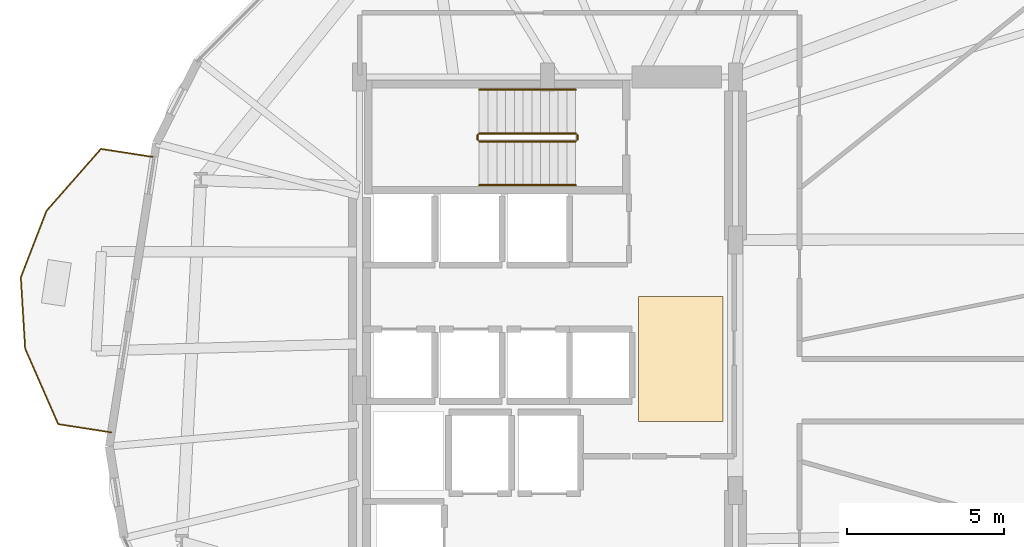
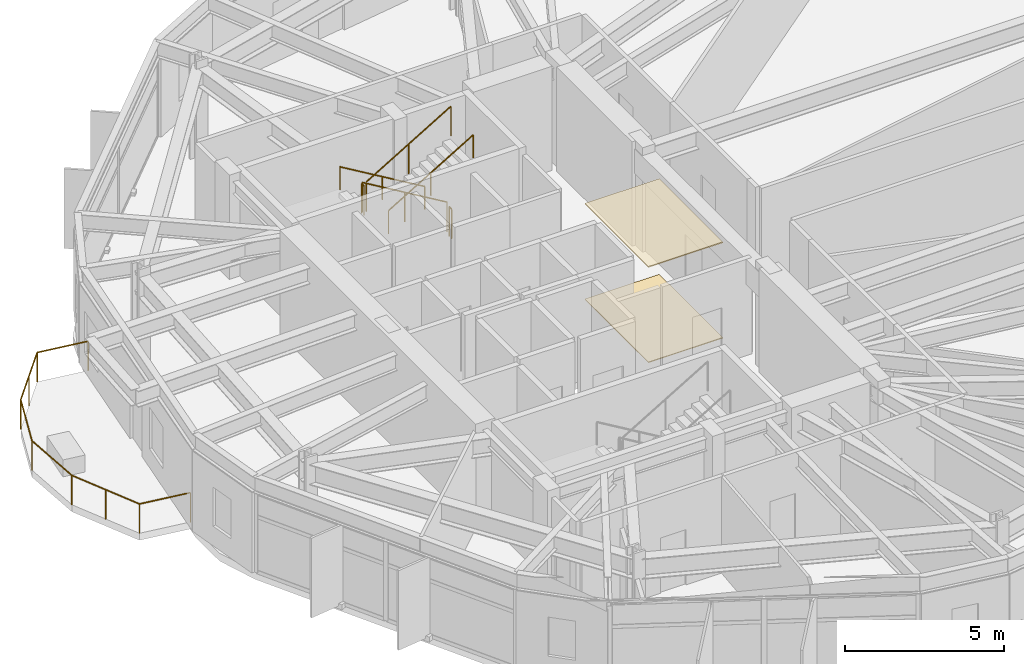
# One storey, part 22 of 23: 7 railings, 2 coverings.
"""IFC4 building model written with IfcOpenShell, lengths in metres."""

from ifc_helpers import new_model, si_unit, direction, frame, origin, origin_2d, place, context, subcontext, project, spatial, polyline, circle, outline, extrude, material, layer, layer_set, type_object, element, save


model = new_model("IFC4")

# Units and contexts
model_context = context("Model", 3, precision=1e-05, world=origin(), true_north=direction((0.0, 1.0)))
body_context = subcontext(model_context, "Body", "Model", "MODEL_VIEW")
ifc_project = project(units=[si_unit("LENGTHUNIT", "METRE"), si_unit("AREAUNIT", "SQUARE_METRE"), si_unit("VOLUMEUNIT", "CUBIC_METRE"), si_unit("PLANEANGLEUNIT", "RADIAN"), si_unit("MASSUNIT", "GRAM", prefix="KILO")], contexts=[model_context])

# Site, building, storey
site_placement = place(None, origin())
site = spatial("IfcSite", under=ifc_project, at=site_placement, CompositionType="ELEMENT")
building_placement = place(site_placement, origin())
building = spatial("IfcBuilding", under=site, at=building_placement, Name="Soratama Intermodal Tower", CompositionType="ELEMENT")
storey_placement = place(building_placement, frame((0.0, 0.0, 62.60009765625)))
storey = spatial("IfcBuildingStorey", under=building, at=storey_placement, Name="L14", CompositionType="ELEMENT", Elevation=62.60009765625)

# Coverings
ifc_material_1 = material(Name="Perforated mineral acoustic ceiling", Category="concrete")
ifc_layer_1 = layer(ifc_material_1, 0.0400390625)
ifc_layer_set_1 = layer_set([ifc_layer_1], Name="Perforated mineral acoustic ceiling")
covering_type_1 = type_object("IfcCoveringType", Name="CV-CEIL-ACOUSTIC", PredefinedType="CEILING", material=ifc_layer_set_1)
covering_1_placement = place(storey_placement, frame((0.0, 0.0, 3.659912109375)))
element("IfcCovering", 1, at=covering_1_placement, inside=storey, type_object=covering_type_1, Name="L14 Acoustic Ceiling", PredefinedType="CEILING", context=body_context, shape_type="SweptSolid", body=[
    extrude(outline(polyline([(41.5, 24.0), (44.199951171875, 24.0), (44.199951171875, 28.0), (41.5, 28.0), (41.5, 24.0)])), origin(), (0.0, 0.0, 1.0), 0.0400390625),
])
ifc_material_2 = material(Name="Polished Andean stone terrazzo flooring", Category="masonry")
ifc_layer_2 = layer(ifc_material_2, 0.030029296875)
ifc_layer_set_2 = layer_set([ifc_layer_2], Name="Polished Andean stone terrazzo flooring")
covering_type_2 = type_object("IfcCoveringType", Name="CV-FLOR-TERRAZZO", PredefinedType="FLOORING", material=ifc_layer_set_2)
covering_2_placement = place(storey_placement, origin())
element("IfcCovering", 2, at=covering_2_placement, inside=storey, type_object=covering_type_2, Name="L14 Lobby Terrazzo Flooring", PredefinedType="FLOORING", context=body_context, shape_type="SweptSolid", body=[
    extrude(outline(polyline([(41.5, 24.0), (44.199951171875, 24.0), (44.199951171875, 28.0), (41.5, 28.0), (41.5, 24.0)])), origin(), (0.0, 0.0, 1.0), 0.02978515625),
])

# Railings
ifc_material_3 = material(Name="Laminated glass and stainless steel balustrade", Category="steel")
railing_type_1 = type_object("IfcRailingType", Name="RL-BAL-1150", PredefinedType="BALUSTRADE", material=ifc_material_3)
railing_1_placement = place(storey_placement, frame((24.672119140625, 23.65087890625, 0.0)))
element("IfcRailing", 3, at=railing_1_placement, inside=storey, type_object=railing_type_1, Name="L14 Balcony Balustrade 2", PredefinedType="BALUSTRADE", context=body_context, shape_type="SweptSolid", body=[
    extrude(circle(Radius=0.02392578125, at=origin_2d()), frame((0.0, 0.0, 1.1259765625), z_axis=(-0.988159066518, 0.153432914522, 0.0), x_axis=(-0.153432914522, -0.988159066518, 0.0)), (0.0, 0.0, 1.0), 1.719970703125),
    extrude(circle(Radius=0.02392578125, at=origin_2d()), frame((-1.69970703125, 0.263916015625, 1.1259765625), z_axis=(-0.40092569219, 0.916110577028, 0.0), x_axis=(-0.916110577028, -0.40092569219, 0.0)), (0.0, 0.0, 1.0), 2.63671875),
    extrude(circle(Radius=0.02392578125, at=origin_2d()), frame((-2.7568359375, 2.679443359375, 1.1259765625), z_axis=(-0.060575985785, 0.99816358877, 0.0), x_axis=(-0.99816358877, -0.060575985785, 0.0)), (0.0, 0.0, 1.0), 2.277099609375),
    extrude(circle(Radius=0.02392578125, at=origin_2d()), frame((-2.894775390625, 4.952392578125, 1.1259765625), z_axis=(0.360106696091, 0.932911125151, 0.0), x_axis=(-0.932911125151, 0.360106696091, 0.0)), (0.0, 0.0, 1.0), 2.27734375),
    extrude(circle(Radius=0.02392578125, at=origin_2d()), frame((-2.07470703125, 7.076904296875, 1.1259765625), z_axis=(0.659788421543, 0.751451421449, 0.0), x_axis=(-0.751451421449, 0.659788421543, 0.0)), (0.0, 0.0, 1.0), 2.63671875),
    extrude(circle(Radius=0.02392578125, at=origin_2d()), frame((-0.3349609375, 9.058349609375, 1.1259765625), z_axis=(0.988180577067, -0.153294315316, 0.0), x_axis=(0.153294315316, 0.988180577067, 0.0)), (0.0, 0.0, 1.0), 1.719970703125),
    extrude(circle(Radius=0.02099609375, at=origin_2d()), origin(), (0.0, 0.0, 1.0), 1.101806640625),
    extrude(circle(Radius=0.02099609375, at=origin_2d()), frame((-1.69970703125, 0.263916015625, 0.0)), (0.0, 0.0, 1.0), 1.101806640625),
    extrude(circle(Radius=0.02099609375, at=origin_2d()), frame((-2.228271484375, 1.4716796875, 0.0)), (0.0, 0.0, 1.0), 1.101806640625),
    extrude(circle(Radius=0.02099609375, at=origin_2d()), frame((-2.7568359375, 2.679443359375, 0.0)), (0.0, 0.0, 1.0), 1.101806640625),
    extrude(circle(Radius=0.02099609375, at=origin_2d()), frame((-2.894775390625, 4.952392578125, 0.0)), (0.0, 0.0, 1.0), 1.101806640625),
    extrude(circle(Radius=0.02099609375, at=origin_2d()), frame((-2.07470703125, 7.076904296875, 0.0)), (0.0, 0.0, 1.0), 1.101806640625),
    extrude(circle(Radius=0.02099609375, at=origin_2d()), frame((-1.204833984375, 8.067626953125, 0.0)), (0.0, 0.0, 1.0), 1.101806640625),
    extrude(circle(Radius=0.02099609375, at=origin_2d()), frame((-0.3349609375, 9.058349609375, 0.0)), (0.0, 0.0, 1.0), 1.101806640625),
    extrude(circle(Radius=0.02099609375, at=origin_2d()), frame((1.36474609375, 8.794677734375, 0.0)), (0.0, 0.0, 1.0), 1.101806640625),
])
ifc_material_4 = material(Name="Painted steel stair guardrail", Category="steel")
railing_type_2 = type_object("IfcRailingType", Name="RL-STAIR-GUARD", PredefinedType="GUARDRAIL", material=ifc_material_4)
railing_2_placement = place(storey_placement, frame((39.5, 33.199951171875, 0.16650390625)))
element("IfcRailing", 4, at=railing_2_placement, inside=storey, type_object=railing_type_2, Name="L14 ST-2 stair guard 1", PredefinedType="GUARDRAIL", context=body_context, shape_type="SweptSolid", body=[
    extrude(circle(Radius=0.02392578125, at=origin_2d()), frame((0.0, 0.0, 1.1259765625), z_axis=(-0.85927862911, 0.0, 0.511507807912), x_axis=(0.0, -1.0, 0.0)), (0.0, 0.0, 1.0), 3.58447265625),
    extrude(circle(Radius=0.02099609375, at=origin_2d()), origin(), (0.0, 0.0, 1.0), 1.101806640625),
    extrude(circle(Radius=0.02099609375, at=origin_2d()), frame((-1.5400390625, 0.0, 0.916748046875)), (0.0, 0.0, 1.0), 1.101806640625),
    extrude(circle(Radius=0.02099609375, at=origin_2d()), frame((-3.080078125, 0.0, 1.83349609375)), (0.0, 0.0, 1.0), 1.101806640625),
])
railing_3_placement = place(storey_placement, frame((36.3701171875, 33.14990234375, 2.0)))
element("IfcRailing", 5, at=railing_3_placement, inside=storey, type_object=railing_type_2, Name="L14 ST-2 stair guard 2", PredefinedType="GUARDRAIL", context=body_context, shape_type="SweptSolid", body=[
    extrude(circle(Radius=0.02392578125, at=origin_2d()), frame((0.0, 0.0, 1.1259765625), z_axis=(0.0, -1.0, 0.0), x_axis=(1.0, 0.0, 0.0)), (0.0, 0.0, 1.0), 0.14990234375),
    extrude(circle(Radius=0.02099609375, at=origin_2d()), origin(), (0.0, 0.0, 1.0), 1.101806640625),
    extrude(circle(Radius=0.02099609375, at=origin_2d()), frame((0.0, -0.14990234375, 0.0)), (0.0, 0.0, 1.0), 1.101806640625),
])
railing_4_placement = place(storey_placement, frame((36.419921875, 32.949951171875, 2.16650390625)))
element("IfcRailing", 6, at=railing_4_placement, inside=storey, type_object=railing_type_2, Name="L14 ST-2 stair guard 3", PredefinedType="GUARDRAIL", context=body_context, shape_type="SweptSolid", body=[
    extrude(circle(Radius=0.02392578125, at=origin_2d()), frame((0.0, 0.0, 1.1259765625), z_axis=(0.85927862911, 0.0, 0.511507807912), x_axis=(0.0, 1.0, 0.0)), (0.0, 0.0, 1.0), 3.58447265625),
    extrude(circle(Radius=0.02099609375, at=origin_2d()), origin(), (0.0, 0.0, 1.0), 1.101806640625),
    extrude(circle(Radius=0.02099609375, at=origin_2d()), frame((1.5400390625, 0.0, 0.916748046875)), (0.0, 0.0, 1.0), 1.101806640625),
    extrude(circle(Radius=0.02099609375, at=origin_2d()), frame((3.080078125, 0.0, 1.83349609375)), (0.0, 0.0, 1.0), 1.101806640625),
])
railing_5_placement = place(storey_placement, frame((39.550048828125, 33.14990234375, 0.0)))
element("IfcRailing", 7, at=railing_5_placement, inside=storey, type_object=railing_type_2, Name="L14 ST-2 stair guard 4", PredefinedType="GUARDRAIL", context=body_context, shape_type="SweptSolid", body=[
    extrude(circle(Radius=0.02392578125, at=origin_2d()), frame((0.0, 0.0, 1.1259765625), z_axis=(0.0, -1.0, 0.0), x_axis=(1.0, 0.0, 0.0)), (0.0, 0.0, 1.0), 0.14990234375),
    extrude(circle(Radius=0.02099609375, at=origin_2d()), origin(), (0.0, 0.0, 1.0), 1.101806640625),
    extrude(circle(Radius=0.02099609375, at=origin_2d()), frame((0.0, -0.14990234375, 0.0)), (0.0, 0.0, 1.0), 1.101806640625),
])
ifc_material_5 = material(Name="Brushed stainless steel handrail", Category="steel")
railing_type_3 = type_object("IfcRailingType", Name="RL-STAIR-HAND", PredefinedType="HANDRAIL", material=ifc_material_5)
railing_6_placement = place(storey_placement, frame((39.5, 34.60009765625, 0.16650390625)))
element("IfcRailing", 8, at=railing_6_placement, inside=storey, type_object=railing_type_3, Name="L14 ST-2 stair handrail 1", PredefinedType="HANDRAIL", context=body_context, shape_type="SweptSolid", body=[
    extrude(circle(Radius=0.02392578125, at=origin_2d()), frame((0.0, 0.0, 0.8759765625), z_axis=(-0.85927862911, 0.0, 0.511507807912), x_axis=(0.0, -1.0, 0.0)), (0.0, 0.0, 1.0), 3.58447265625),
    extrude(circle(Radius=0.02099609375, at=origin_2d()), origin(), (0.0, 0.0, 1.0), 0.851806640625),
    extrude(circle(Radius=0.02099609375, at=origin_2d()), frame((-1.5400390625, 0.0, 0.916748046875)), (0.0, 0.0, 1.0), 0.851806640625),
    extrude(circle(Radius=0.02099609375, at=origin_2d()), frame((-3.080078125, 0.0, 1.83349609375)), (0.0, 0.0, 1.0), 0.851806640625),
])
railing_7_placement = place(storey_placement, frame((36.419921875, 31.550048828125, 2.16650390625)))
element("IfcRailing", 9, at=railing_7_placement, inside=storey, type_object=railing_type_3, Name="L14 ST-2 stair handrail 2", PredefinedType="HANDRAIL", context=body_context, shape_type="SweptSolid", body=[
    extrude(circle(Radius=0.02392578125, at=origin_2d()), frame((0.0, 0.0, 0.8759765625), z_axis=(0.85927862911, 0.0, 0.511507807912), x_axis=(0.0, 1.0, 0.0)), (0.0, 0.0, 1.0), 3.58447265625),
    extrude(circle(Radius=0.02099609375, at=origin_2d()), origin(), (0.0, 0.0, 1.0), 0.851806640625),
    extrude(circle(Radius=0.02099609375, at=origin_2d()), frame((1.5400390625, 0.0, 0.916748046875)), (0.0, 0.0, 1.0), 0.851806640625),
    extrude(circle(Radius=0.02099609375, at=origin_2d()), frame((3.080078125, 0.0, 1.83349609375)), (0.0, 0.0, 1.0), 0.851806640625),
])

save(model, "model.ifc")
